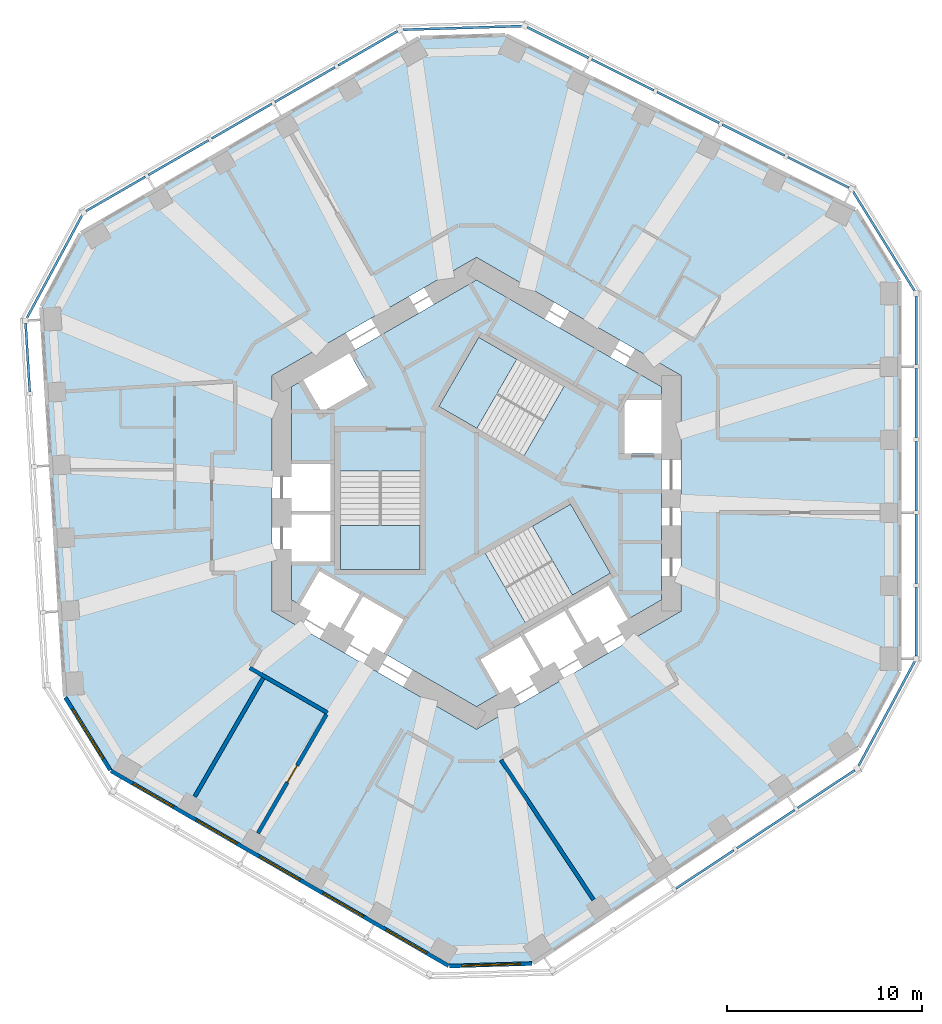
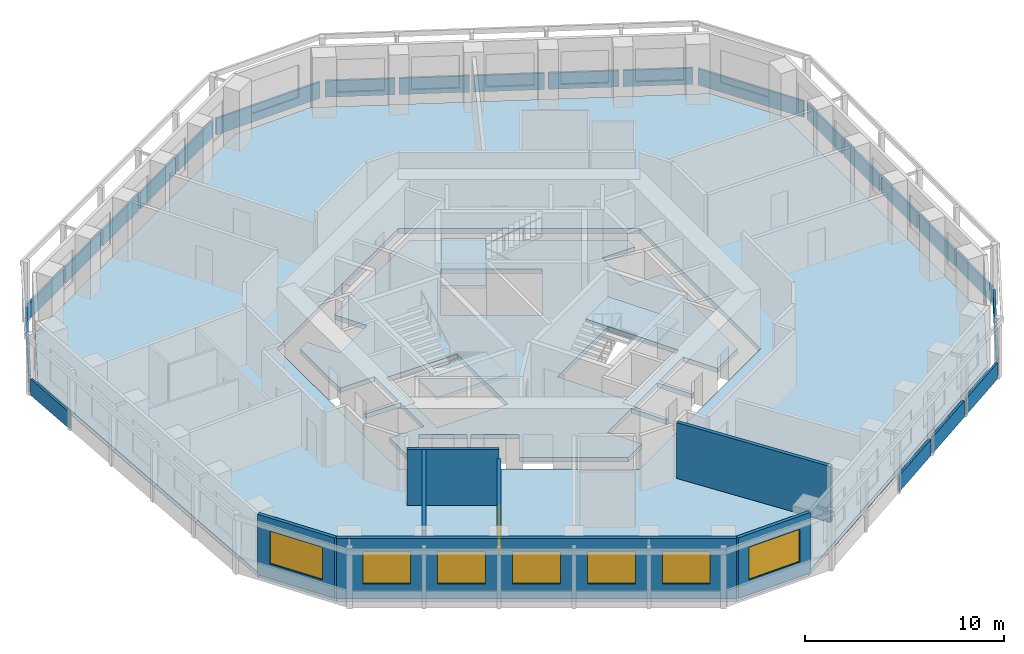
# One storey, part 3 of 10: 23 plates, 7 walls, 7 windows, 5 slabs, 1 door, 8 openings, 12 elements without a shape of their own.
"""IFC4 building model written with IfcOpenShell, lengths in metres."""

from ifc_helpers import new_model, si_unit, direction, frame, frame_2d, origin, origin_2d, place, context, subcontext, project, spatial, polyline, rectangle, outline, extrude, material, layer, layer_set, type_object, element, fill, aggregate, save


model = new_model("IFC4")

# Units and contexts
model_context = context("Model", 3, precision=1e-05, world=origin(), true_north=direction((0.0, 1.0)))
body_context = subcontext(model_context, "Body", "Model", "MODEL_VIEW")
ifc_project = project(units=[si_unit("LENGTHUNIT", "METRE"), si_unit("AREAUNIT", "SQUARE_METRE"), si_unit("VOLUMEUNIT", "CUBIC_METRE"), si_unit("PLANEANGLEUNIT", "RADIAN"), si_unit("MASSUNIT", "GRAM", prefix="KILO")], contexts=[model_context])

# Site, building, storey
site_placement = place(None, origin())
site = spatial("IfcSite", under=ifc_project, at=site_placement, CompositionType="ELEMENT")
building_placement = place(site_placement, origin())
building = spatial("IfcBuilding", under=site, at=building_placement, Name="Vanh Sen Convention Tower", CompositionType="ELEMENT")
storey_placement = place(building_placement, frame((0.0, 0.0, 165.10009765625)))
storey = spatial("IfcBuildingStorey", under=building, at=storey_placement, Name="L40", CompositionType="ELEMENT", Elevation=165.10009765625)

# Slabs
ifc_material_1 = material(Name="Concrete C40/50", Category="concrete")
ifc_layer_1 = layer(ifc_material_1, 0.280029296875)
ifc_layer_set_1 = layer_set([ifc_layer_1], Name="Concrete C40/50")
slab_type_1 = type_object("IfcSlabType", Name="Core slab 280", PredefinedType="FLOOR", material=ifc_layer_set_1)
slab_1_placement = place(storey_placement, frame((0.0, 0.0, -0.280029296875)))
element("IfcSlab", 1, at=slab_1_placement, inside=storey, type_object=slab_type_1, Name="Core slab L40", PredefinedType="FLOOR", context=body_context, shape_type="SweptSolid", body=[
    extrude(outline(polyline([(0.0, 10.9697265625), (9.5, 5.48486328125), (9.5, 4.800048828125), (7.60009765625, 4.800048828125), (7.60009765625, 2.050048828125), (9.5, 2.050048828125), (9.5, -5.48486328125), (7.781005859375, -6.477294921875), (6.781005859375, -4.7451171875), (4.70263671875, -5.9453125), (5.70263671875, -7.67724609375), (5.529296875, -7.777099609375), (4.529296875, -6.045166015625), (2.450927734375, -7.2451171875), (3.450927734375, -8.977294921875), (3.27783203125, -9.0771484375), (2.27783203125, -7.34521484375), (0.19921875, -8.545166015625), (1.19921875, -10.277099609375), (0.0, -10.9697265625), (-4.75, -8.227294921875), (-3.75, -6.4951171875), (-5.82861328125, -5.295166015625), (-6.82861328125, -7.027099609375), (-7.001708984375, -6.92724609375), (-6.001708984375, -5.1953125), (-8.080078125, -3.9951171875), (-9.080078125, -5.727294921875), (-9.5, -5.48486328125), (-9.5, -3.5), (-7.5, -3.5), (-7.5, -1.10009765625), (-9.5, -1.10009765625), (-9.5, -0.89990234375), (-7.5, -0.89990234375), (-7.5, 1.5), (-9.5, 1.5), (-9.5, 5.48486328125), (-8.906982421875, 5.8271484375), (-7.956787109375, 4.181884765625), (-5.575439453125, 5.556884765625), (-6.525390625, 7.2021484375), (0.0, 10.9697265625)]), holes=[polyline([(-7.0, 1.1494140625), (-7.0, -3.909912109375), (-2.89990234375, -3.909912109375), (-2.89990234375, 1.1494140625), (-7.0, 1.1494140625)]), polyline([(2.504638671875, -6.63671875), (6.88623046875, -4.107177734375), (4.836181640625, -0.556396484375), (0.45458984375, -3.086181640625), (2.504638671875, -6.63671875)]), polyline([(0.11376953125, 8.01708984375), (-1.936279296875, 4.466552734375), (2.4453125, 1.936767578125), (4.495361328125, 5.487548828125), (0.11376953125, 8.01708984375)])]), origin(), (0.0, 0.0, 1.0), 0.280029296875),
])
ifc_layer_2 = layer(ifc_material_1, 0.280029296875)
ifc_layer_set_2 = layer_set([ifc_layer_2], Name="Concrete C40/50")
slab_type_2 = type_object("IfcSlabType", Name="Floor slab 280 REI 120", PredefinedType="FLOOR", material=ifc_layer_set_2)
slab_2_placement = place(storey_placement, frame((0.0, 0.0, -0.280029296875)))
element("IfcSlab", 2, at=slab_2_placement, inside=storey, type_object=slab_type_2, Name="Floor slab L40 tower", PredefinedType="FLOOR", context=body_context, shape_type="SweptSolid", body=[
    extrude(outline(polyline([(21.699951171875, -9.15087890625), (21.699951171875, 10.91943359375), (19.454833984375, 14.5478515625), (1.492919921875, 23.503173828125), (-2.925048828125, 23.368408203125), (-20.306640625, 13.3330078125), (-22.326171875, 9.574462890625), (-21.100830078125, -10.458740234375), (-18.77490234375, -14.21728515625), (-1.393310546875, -24.25244140625), (2.871337890625, -24.122314453125), (19.60791015625, -13.04443359375), (21.699951171875, -9.15087890625)]), holes=[polyline([(0.0, 12.12451171875), (-10.5, 6.062255859375), (-10.5, -6.062255859375), (0.0, -12.12451171875), (10.5, -6.062255859375), (10.5, 6.062255859375), (0.0, 12.12451171875)])]), origin(), (0.0, 0.0, 1.0), 0.280029296875),
])

# Curtain wall, plates
ifc_material_2 = material(Name="Concrete C50/60", Category="concrete")
curtain_wall_type = type_object("IfcCurtainWallType", Name="Outer skin office zone", PredefinedType="NOTDEFINED", material=ifc_material_2)
curtain_wall_1_placement = place(storey_placement, origin())
curtain_wall_1 = element("IfcCurtainWall", 3, at=curtain_wall_1_placement, inside=storey, type_object=curtain_wall_type, Name="OUTER SKIN E L40", PredefinedType="NOTDEFINED")
ifc_layer_3 = layer(ifc_material_2, 0.1201171875)
ifc_layer_set_3 = layer_set([ifc_layer_3], Name="Concrete C50/60")
plate_type = type_object("IfcPlateType", Name="Outer skin precast screen panel 120", PredefinedType="CURTAIN_PANEL", material=ifc_layer_set_3)
plate_1_placement = place(storey_placement, frame((22.60009765625, -6.59912109375, 0.0), z_axis=(0.0, 0.0, 1.0), x_axis=(0.0, 1.0, 0.0)))
plate_1 = element("IfcPlate", 4, at=plate_1_placement, type_object=plate_type, Name="OUTER SKIN screen panel E-1", PredefinedType="CURTAIN_PANEL", context=body_context, shape_type="SweptSolid", body=[
    extrude(rectangle(XDim=3.504150390625, YDim=0.1201171875, at=origin_2d()), origin(), (0.0, 0.0, 1.0), 1.0),
])
plate_2_placement = place(storey_placement, frame((22.60009765625, -2.869873046875, 0.0), z_axis=(0.0, 0.0, 1.0), x_axis=(0.0, 1.0, 0.0)))
plate_2 = element("IfcPlate", 5, at=plate_2_placement, type_object=plate_type, Name="OUTER SKIN screen panel E-2", PredefinedType="CURTAIN_PANEL", context=body_context, shape_type="SweptSolid", body=[
    extrude(rectangle(XDim=3.55419921875, YDim=0.1201171875, at=origin_2d()), origin(), (0.0, 0.0, 1.0), 1.0),
])
plate_3_placement = place(storey_placement, frame((22.60009765625, 0.88427734375, 0.0), z_axis=(0.0, 0.0, 1.0), x_axis=(0.0, 1.0, 0.0)))
plate_3 = element("IfcPlate", 6, at=plate_3_placement, type_object=plate_type, Name="OUTER SKIN screen panel E-3", PredefinedType="CURTAIN_PANEL", context=body_context, shape_type="SweptSolid", body=[
    extrude(rectangle(XDim=3.55419921875, YDim=0.1201171875, at=origin_2d()), origin(), (0.0, 0.0, 1.0), 1.0),
])
plate_4_placement = place(storey_placement, frame((22.60009765625, 4.63818359375, 0.0), z_axis=(0.0, 0.0, 1.0), x_axis=(0.0, 1.0, 0.0)))
plate_4 = element("IfcPlate", 7, at=plate_4_placement, type_object=plate_type, Name="OUTER SKIN screen panel E-4", PredefinedType="CURTAIN_PANEL", context=body_context, shape_type="SweptSolid", body=[
    extrude(rectangle(XDim=3.55419921875, YDim=0.1201171875, at=origin_2d()), origin(), (0.0, 0.0, 1.0), 1.0),
])
plate_5_placement = place(storey_placement, frame((22.60009765625, 8.367431640625, 0.0), z_axis=(0.0, 0.0, 1.0), x_axis=(0.0, 1.0, 0.0)))
plate_5 = element("IfcPlate", 8, at=plate_5_placement, type_object=plate_type, Name="OUTER SKIN screen panel E-5", PredefinedType="CURTAIN_PANEL", context=body_context, shape_type="SweptSolid", body=[
    extrude(rectangle(XDim=3.504150390625, YDim=0.1201171875, at=origin_2d()), origin(), (0.0, 0.0, 1.0), 1.0),
])
aggregate(curtain_wall_1, [plate_1, plate_2, plate_3, plate_4, plate_5])

# Curtain wall, plate
curtain_wall_2_placement = place(storey_placement, origin())
curtain_wall_2 = element("IfcCurtainWall", 9, at=curtain_wall_2_placement, inside=storey, type_object=curtain_wall_type, Name="OUTER SKIN CH1 L40", PredefinedType="NOTDEFINED")
plate_6_placement = place(storey_placement, frame((20.937255859375, 12.956298828125, 0.0), z_axis=(0.0, 0.0, 1.0), x_axis=(-0.5262035346, 0.850358653848, 0.0)))
plate_6 = element("IfcPlate", 10, at=plate_6_placement, type_object=plate_type, Name="OUTER SKIN screen panel CH1-1", PredefinedType="CURTAIN_PANEL", context=body_context, shape_type="SweptSolid", body=[
    extrude(rectangle(XDim=6.01953125, YDim=0.1201171875, at=origin_2d()), origin(), (0.0, 0.0, 1.0), 1.0),
])
aggregate(curtain_wall_2, [plate_6])

# Curtain wall, plates
curtain_wall_3_placement = place(storey_placement, origin())
curtain_wall_3 = element("IfcCurtainWall", 11, at=curtain_wall_3_placement, inside=storey, type_object=curtain_wall_type, Name="OUTER SKIN NE L40", PredefinedType="NOTDEFINED")
plate_7_placement = place(storey_placement, frame((17.572509765625, 16.491943359375, 0.0), z_axis=(0.0, 0.0, 1.0), x_axis=(-0.894943706551, 0.446179069551, 0.0)))
plate_7 = element("IfcPlate", 12, at=plate_7_placement, type_object=plate_type, Name="OUTER SKIN screen panel NE-1", PredefinedType="CURTAIN_PANEL", context=body_context, shape_type="SweptSolid", body=[
    extrude(rectangle(XDim=3.504150390625, YDim=0.1201171875, at=origin_2d()), origin(), (0.0, 0.0, 1.0), 1.0),
])
plate_8_placement = place(storey_placement, frame((14.235107421875, 18.156005859375, 0.0), z_axis=(0.0, 0.0, 1.0), x_axis=(-0.894932804072, 0.446200937017, 0.0)))
plate_8 = element("IfcPlate", 13, at=plate_8_placement, type_object=plate_type, Name="OUTER SKIN screen panel NE-2", PredefinedType="CURTAIN_PANEL", context=body_context, shape_type="SweptSolid", body=[
    extrude(rectangle(XDim=3.55419921875, YDim=0.1201171875, at=origin_2d()), origin(), (0.0, 0.0, 1.0), 1.0),
])
plate_9_placement = place(storey_placement, frame((10.87548828125, 19.8310546875, 0.0), z_axis=(0.0, 0.0, 1.0), x_axis=(-0.894932804072, 0.446200937017, 0.0)))
plate_9 = element("IfcPlate", 14, at=plate_9_placement, type_object=plate_type, Name="OUTER SKIN screen panel NE-3", PredefinedType="CURTAIN_PANEL", context=body_context, shape_type="SweptSolid", body=[
    extrude(rectangle(XDim=3.55419921875, YDim=0.1201171875, at=origin_2d()), origin(), (0.0, 0.0, 1.0), 1.0),
])
plate_10_placement = place(storey_placement, frame((7.515625, 21.506103515625, 0.0), z_axis=(0.0, 0.0, 1.0), x_axis=(-0.894932804072, 0.446200937017, 0.0)))
plate_10 = element("IfcPlate", 15, at=plate_10_placement, type_object=plate_type, Name="OUTER SKIN screen panel NE-4", PredefinedType="CURTAIN_PANEL", context=body_context, shape_type="SweptSolid", body=[
    extrude(rectangle(XDim=3.55419921875, YDim=0.1201171875, at=origin_2d()), origin(), (0.0, 0.0, 1.0), 1.0),
])
plate_11_placement = place(storey_placement, frame((4.178466796875, 23.169921875, 0.0), z_axis=(0.0, 0.0, 1.0), x_axis=(-0.894943706551, 0.446179069551, 0.0)))
plate_11 = element("IfcPlate", 16, at=plate_11_placement, type_object=plate_type, Name="OUTER SKIN screen panel NE-5", PredefinedType="CURTAIN_PANEL", context=body_context, shape_type="SweptSolid", body=[
    extrude(rectangle(XDim=3.504150390625, YDim=0.1201171875, at=origin_2d()), origin(), (0.0, 0.0, 1.0), 1.0),
])
aggregate(curtain_wall_3, [plate_7, plate_8, plate_9, plate_10, plate_11])

# Curtain wall, plate
curtain_wall_4_placement = place(storey_placement, origin())
curtain_wall_4 = element("IfcCurtainWall", 17, at=curtain_wall_4_placement, inside=storey, type_object=curtain_wall_type, Name="OUTER SKIN CH2 L40", PredefinedType="NOTDEFINED")
plate_12_placement = place(storey_placement, frame((-0.73095703125, 23.920654296875, 0.0), z_axis=(0.0, 0.0, 1.0), x_axis=(-0.999533590837, -0.03053851321, 0.0)))
plate_12 = element("IfcPlate", 18, at=plate_12_placement, type_object=plate_type, Name="OUTER SKIN screen panel CH2-1", PredefinedType="CURTAIN_PANEL", context=body_context, shape_type="SweptSolid", body=[
    extrude(rectangle(XDim=6.1171875, YDim=0.1201171875, at=origin_2d()), origin(), (0.0, 0.0, 1.0), 1.0),
])
aggregate(curtain_wall_4, [plate_12])

# Curtain wall, plates
curtain_wall_5_placement = place(storey_placement, origin())
curtain_wall_5 = element("IfcCurtainWall", 19, at=curtain_wall_5_placement, inside=storey, type_object=curtain_wall_type, Name="OUTER SKIN NW L40", PredefinedType="NOTDEFINED")
plate_13_placement = place(storey_placement, frame((-5.585205078125, 22.87158203125, 0.0), z_axis=(0.0, 0.0, 1.0), x_axis=(-0.866035002936, -0.499983373414, 0.0)))
plate_13 = element("IfcPlate", 20, at=plate_13_placement, type_object=plate_type, Name="OUTER SKIN screen panel NW-1", PredefinedType="CURTAIN_PANEL", context=body_context, shape_type="SweptSolid", body=[
    extrude(rectangle(XDim=3.504150390625, YDim=0.1201171875, at=origin_2d()), origin(), (0.0, 0.0, 1.0), 1.0),
])
plate_14_placement = place(storey_placement, frame((-8.814697265625, 21.007080078125, 0.0), z_axis=(0.0, 0.0, 1.0), x_axis=(-0.866016677006, -0.500015114919, 0.0)))
plate_14 = element("IfcPlate", 21, at=plate_14_placement, type_object=plate_type, Name="OUTER SKIN screen panel NW-2", PredefinedType="CURTAIN_PANEL", context=body_context, shape_type="SweptSolid", body=[
    extrude(rectangle(XDim=3.55419921875, YDim=0.1201171875, at=origin_2d()), origin(), (0.0, 0.0, 1.0), 1.0),
])
plate_15_placement = place(storey_placement, frame((-12.06591796875, 19.1298828125, 0.0), z_axis=(0.0, 0.0, 1.0), x_axis=(-0.866035002936, -0.499983373414, 0.0)))
plate_15 = element("IfcPlate", 22, at=plate_15_placement, type_object=plate_type, Name="OUTER SKIN screen panel NW-3", PredefinedType="CURTAIN_PANEL", context=body_context, shape_type="SweptSolid", body=[
    extrude(rectangle(XDim=3.55419921875, YDim=0.1201171875, at=origin_2d()), origin(), (0.0, 0.0, 1.0), 1.0),
])
plate_16_placement = place(storey_placement, frame((-15.31689453125, 17.2529296875, 0.0), z_axis=(0.0, 0.0, 1.0), x_axis=(-0.866016677006, -0.500015114919, 0.0)))
plate_16 = element("IfcPlate", 23, at=plate_16_placement, type_object=plate_type, Name="OUTER SKIN screen panel NW-4", PredefinedType="CURTAIN_PANEL", context=body_context, shape_type="SweptSolid", body=[
    extrude(rectangle(XDim=3.55419921875, YDim=0.1201171875, at=origin_2d()), origin(), (0.0, 0.0, 1.0), 1.0),
])
plate_17_placement = place(storey_placement, frame((-18.54638671875, 15.388427734375, 0.0), z_axis=(0.0, 0.0, 1.0), x_axis=(-0.866035002936, -0.499983373414, 0.0)))
plate_17 = element("IfcPlate", 24, at=plate_17_placement, type_object=plate_type, Name="OUTER SKIN screen panel NW-5", PredefinedType="CURTAIN_PANEL", context=body_context, shape_type="SweptSolid", body=[
    extrude(rectangle(XDim=3.504150390625, YDim=0.1201171875, at=origin_2d()), origin(), (0.0, 0.0, 1.0), 1.0),
])
aggregate(curtain_wall_5, [plate_13, plate_14, plate_15, plate_16, plate_17])

# Curtain wall, plate
curtain_wall_6_placement = place(storey_placement, origin())
curtain_wall_6 = element("IfcCurtainWall", 25, at=curtain_wall_6_placement, inside=storey, type_object=curtain_wall_type, Name="OUTER SKIN CH3 L40", PredefinedType="NOTDEFINED")
plate_18_placement = place(storey_placement, frame((-21.689208984375, 11.654052734375, 0.0), z_axis=(0.0, 0.0, 1.0), x_axis=(-0.47331812974, -0.880891564303, 0.0)))
plate_18 = element("IfcPlate", 26, at=plate_18_placement, type_object=plate_type, Name="OUTER SKIN screen panel CH3-1", PredefinedType="CURTAIN_PANEL", context=body_context, shape_type="SweptSolid", body=[
    extrude(rectangle(XDim=6.019287109375, YDim=0.1201171875, at=origin_2d()), origin(), (0.0, 0.0, 1.0), 1.0),
])
aggregate(curtain_wall_6, [plate_18])

curtain_wall_7_placement = place(storey_placement, origin())
curtain_wall_7 = element("IfcCurtainWall", 27, at=curtain_wall_7_placement, inside=storey, type_object=curtain_wall_type, Name="OUTER SKIN W L40", PredefinedType="NOTDEFINED")
plate_19_placement = place(storey_placement, frame((-23.068603515625, 6.97216796875, 0.0), z_axis=(0.0, 0.0, 1.0), x_axis=(0.061053765756, -0.998134478759, 0.0)))
plate_19 = element("IfcPlate", 28, at=plate_19_placement, type_object=plate_type, Name="OUTER SKIN screen panel W-1", PredefinedType="CURTAIN_PANEL", context=body_context, shape_type="SweptSolid", body=[
    extrude(rectangle(XDim=3.504150390625, YDim=0.1201171875, at=origin_2d()), origin(), (0.0, 0.0, 1.0), 1.0),
])
aggregate(curtain_wall_7, [plate_19])

# Curtain wall, plates
curtain_wall_8_placement = place(storey_placement, origin())
curtain_wall_8 = element("IfcCurtainWall", 29, at=curtain_wall_8_placement, inside=storey, type_object=curtain_wall_type, Name="OUTER SKIN SE L40", PredefinedType="NOTDEFINED")
plate_20_placement = place(storey_placement, frame((11.736328125, -19.333984375, 0.0), z_axis=(0.0, 0.0, 1.0), x_axis=(0.833877152158, 0.551950083892, 0.0)))
plate_20 = element("IfcPlate", 30, at=plate_20_placement, type_object=plate_type, Name="OUTER SKIN screen panel SE-3", PredefinedType="CURTAIN_PANEL", context=body_context, shape_type="SweptSolid", body=[
    extrude(rectangle(XDim=3.55419921875, YDim=0.1201171875, at=origin_2d()), origin(), (0.0, 0.0, 1.0), 1.0),
])
plate_21_placement = place(storey_placement, frame((14.866943359375, -17.26171875, 0.0), z_axis=(0.0, 0.0, 1.0), x_axis=(0.833889675294, 0.551931163677, 0.0)))
plate_21 = element("IfcPlate", 31, at=plate_21_placement, type_object=plate_type, Name="OUTER SKIN screen panel SE-4", PredefinedType="CURTAIN_PANEL", context=body_context, shape_type="SweptSolid", body=[
    extrude(rectangle(XDim=3.55419921875, YDim=0.1201171875, at=origin_2d()), origin(), (0.0, 0.0, 1.0), 1.0),
])
plate_22_placement = place(storey_placement, frame((17.9765625, -15.20361328125, 0.0), z_axis=(0.0, 0.0, 1.0), x_axis=(0.833889675294, 0.551931163677, 0.0)))
plate_22 = element("IfcPlate", 32, at=plate_22_placement, type_object=plate_type, Name="OUTER SKIN screen panel SE-5", PredefinedType="CURTAIN_PANEL", context=body_context, shape_type="SweptSolid", body=[
    extrude(rectangle(XDim=3.504150390625, YDim=0.1201171875, at=origin_2d()), origin(), (0.0, 0.0, 1.0), 1.0),
])
aggregate(curtain_wall_8, [plate_20, plate_21, plate_22])

# Curtain wall, plate
curtain_wall_9_placement = place(storey_placement, origin())
curtain_wall_9 = element("IfcCurtainWall", 33, at=curtain_wall_9_placement, inside=storey, type_object=curtain_wall_type, Name="OUTER SKIN CH6 L40", PredefinedType="NOTDEFINED")
plate_23_placement = place(storey_placement, frame((21.081298828125, -11.327392578125, 0.0), z_axis=(0.0, 0.0, 1.0), x_axis=(0.473321204628, 0.880889912105, 0.0)))
plate_23 = element("IfcPlate", 34, at=plate_23_placement, type_object=plate_type, Name="OUTER SKIN screen panel CH6-1", PredefinedType="CURTAIN_PANEL", context=body_context, shape_type="SweptSolid", body=[
    extrude(rectangle(XDim=6.1171875, YDim=0.1201171875, at=origin_2d()), origin(), (0.0, 0.0, 1.0), 1.0),
])
aggregate(curtain_wall_9, [plate_23])

# Stair, slab
ifc_material_3 = material(Name="Concrete C50/60", Category="concrete")
stair_type_1 = type_object("IfcStairType", Name="Exit stair ST1 22 risers at 168.2", PredefinedType="HALF_TURN_STAIR", material=ifc_material_3)
stair_1_placement = place(storey_placement, origin())
stair_1 = element("IfcStair", 35, at=stair_1_placement, inside=storey, type_object=stair_type_1, Name="Exit stair ST1 L40", PredefinedType="HALF_TURN_STAIR")
ifc_layer_4 = layer(ifc_material_1, 0.199951171875)
ifc_layer_set_4 = layer_set([ifc_layer_4], Name="Concrete C40/50")
slab_type_3 = type_object("IfcSlabType", Name="Stair landing 200", PredefinedType="LANDING", material=ifc_layer_set_4)
slab_3_placement = place(storey_placement, frame((0.0, 0.0, 1.64990234375)))
slab_3 = element("IfcSlab", 36, at=slab_3_placement, type_object=slab_type_3, Name="ST1 landing 1", PredefinedType="LANDING", context=body_context, shape_type="SweptSolid", body=[
    extrude(outline(polyline([(2.07177734375, 6.88671875), (0.11376953125, 8.01708984375), (-1.936279296875, 4.466552734375), (0.021728515625, 3.336181640625), (2.07177734375, 6.88671875)])), origin(), (0.0, 0.0, 1.0), 0.199951171875),
])
aggregate(stair_1, [slab_3])

stair_type_2 = type_object("IfcStairType", Name="Exit stair ST2 22 risers at 168.2", PredefinedType="HALF_TURN_STAIR", material=ifc_material_3)
stair_2_placement = place(storey_placement, origin())
stair_2 = element("IfcStair", 37, at=stair_2_placement, inside=storey, type_object=stair_type_2, Name="Exit stair ST2 L40", PredefinedType="HALF_TURN_STAIR")
slab_4_placement = place(storey_placement, frame((0.0, 0.0, 1.64990234375)))
slab_4 = element("IfcSlab", 38, at=slab_4_placement, type_object=slab_type_3, Name="ST2 landing 1", PredefinedType="LANDING", context=body_context, shape_type="SweptSolid", body=[
    extrude(outline(polyline([(-7.0, -1.6494140625), (-7.0, -3.909912109375), (-2.89990234375, -3.909912109375), (-2.89990234375, -1.6494140625), (-7.0, -1.6494140625)])), origin(), (0.0, 0.0, 1.0), 0.199951171875),
])
aggregate(stair_2, [slab_4])

stair_type_3 = type_object("IfcStairType", Name="Exit stair ST3 22 risers at 168.2", PredefinedType="HALF_TURN_STAIR", material=ifc_material_3)
stair_3_placement = place(storey_placement, origin())
stair_3 = element("IfcStair", 39, at=stair_3_placement, inside=storey, type_object=stair_type_3, Name="Exit stair ST3 L40", PredefinedType="HALF_TURN_STAIR")
slab_5_placement = place(storey_placement, frame((0.0, 0.0, 1.64990234375)))
slab_5 = element("IfcSlab", 40, at=slab_5_placement, type_object=slab_type_3, Name="ST3 landing 1", PredefinedType="LANDING", context=body_context, shape_type="SweptSolid", body=[
    extrude(outline(polyline([(4.92822265625, -5.237548828125), (6.88623046875, -4.107177734375), (4.836181640625, -0.556396484375), (2.87841796875, -1.686767578125), (4.92822265625, -5.237548828125)])), origin(), (0.0, 0.0, 1.0), 0.199951171875),
])
aggregate(stair_3, [slab_5])

# Wall
ifc_material_4 = material(Name="Gypsum board on steel studs with mineral wool", Category="steel")
ifc_layer_5 = layer(ifc_material_4, 0.199951171875)
ifc_layer_set_5 = layer_set([ifc_layer_5], Name="Gypsum board on steel studs with mineral wool")
wall_type_1 = type_object("IfcWallType", Name="Corridor partition wall 200", PredefinedType="PARTITIONING", material=ifc_layer_set_5)
wall_1_placement = place(storey_placement, frame((-11.651123046875, -8.978271484375, 0.0), z_axis=(0.0, 0.0, 1.0), x_axis=(0.866010893236, -0.500025132165, 0.0)))
element("IfcWall", 41, at=wall_1_placement, inside=storey, type_object=wall_type_1, Name="Corridor partition wall 200", PredefinedType="PARTITIONING", context=body_context, shape_type="SweptSolid", body=[
    extrude(rectangle(XDim=4.608154296875, YDim=0.199951171875, at=frame_2d((2.30419921875, 0.0))), origin(), (0.0, 0.0, 1.0), 3.419921875),
])

# Wall, opening, door
wall_2_placement = place(storey_placement, frame((-11.23486328125, -17.4736328125, 0.0), z_axis=(0.0, 0.0, 1.0), x_axis=(0.500009260695, 0.866020057054, 0.0)))
wall_2 = element("IfcWall", 42, at=wall_2_placement, inside=storey, type_object=wall_type_1, Name="Corridor partition wall 200", PredefinedType="PARTITIONING", context=body_context, shape_type="SweptSolid", body=[
    extrude(rectangle(XDim=7.049072265625, YDim=0.199951171875, at=frame_2d((3.5244140625, 0.0))), origin(), (0.0, 0.0, 1.0), 2.869873046875),
])
opening_1_placement = place(wall_2_placement, frame((3.0244140625, 0.0, 0.0)))
opening_1 = element("IfcOpeningElement", 43, at=opening_1_placement, cuts=wall_2, Name="Opening D38112", PredefinedType="OPENING", context=body_context, shape_type="SweptSolid", body=[
    extrude(rectangle(XDim=1.0, YDim=2.10009765625, at=frame_2d((0.5, 1.050048828125))), frame((0.0, 0.10986328125, 0.0), z_axis=(0.0, -1.0, 0.0), x_axis=(1.0, 0.0, 0.0)), (0.0, 0.0, 1.0), 0.219970703125),
])
ifc_material_5 = material(Name="Glazed fire door in steel frame", Category="steel")
door_type = type_object("IfcDoorType", Name="Tenant entrance door 1000", OperationType="SINGLE_SWING_LEFT", PredefinedType="DOOR", material=ifc_material_5)
door_placement = place(opening_1_placement, origin())
door = element("IfcDoor", 44, at=door_placement, inside=storey, type_object=door_type, Name="Tenant suite entrance door D38112", OperationType="SINGLE_SWING_LEFT", OverallHeight=2.10009765625, OverallWidth=1.0, PredefinedType="DOOR", context=body_context, shape_type="SweptSolid", body=[
    extrude(rectangle(XDim=1.0, YDim=2.10009765625, at=frame_2d((0.5, 1.050048828125))), frame((0.0, 0.02490234375, 0.0), z_axis=(0.0, -1.0, 0.0), x_axis=(1.0, 0.0, 0.0)), (0.0, 0.0, 1.0), 0.050048828125),
])
fill(opening_1, door)

# Wall, opening, window
ifc_material_6 = material(Name="Insulated lightweight infill wall")
ifc_layer_6 = layer(ifc_material_6, 0.199951171875)
ifc_layer_set_6 = layer_set([ifc_layer_6], Name="Insulated lightweight infill wall")
wall_type_2 = type_object("IfcWallType", Name="External wall 200", PredefinedType="STANDARD", material=ifc_layer_set_6)
wall_3_placement = place(storey_placement, frame((-21.13671875, -10.49560546875, 0.0), z_axis=(0.0, 0.0, 1.0), x_axis=(0.526178661629, -0.850374044786, 0.0)))
wall_3 = element("IfcWall", 45, at=wall_3_placement, inside=storey, type_object=wall_type_2, Name="External wall CH4 L40", PredefinedType="STANDARD", context=body_context, shape_type="SweptSolid", body=[
    extrude(rectangle(XDim=4.394775390625, YDim=0.199951171875, at=frame_2d((2.197265625, 0.0))), origin(), (0.0, 0.0, 1.0), 3.699951171875),
])
opening_2_placement = place(wall_3_placement, frame((0.697509765625, 0.0, 0.89990234375)))
opening_2 = element("IfcOpeningElement", 46, at=opening_2_placement, cuts=wall_3, Name="Opening WO2-CH41", PredefinedType="OPENING", context=body_context, shape_type="SweptSolid", body=[
    extrude(rectangle(XDim=3.0, YDim=2.0, at=frame_2d((1.5, 1.0))), frame((0.0, 0.10986328125, 0.0), z_axis=(0.0, -1.0, 0.0), x_axis=(1.0, 0.0, 0.0)), (0.0, 0.0, 1.0), 0.219970703125),
])
ifc_material_7 = material(Name="Aluminium frame with clear low-emissivity glass", Category="aluminium")
window_type_1 = type_object("IfcWindowType", Name="Office window 3000 x 2000", PartitioningType="SINGLE_PANEL", PredefinedType="WINDOW", material=ifc_material_7)
window_1_placement = place(opening_2_placement, origin())
window_1 = element("IfcWindow", 47, at=window_1_placement, inside=storey, type_object=window_type_1, Name="Window WO2-CH41", OverallHeight=2.0, OverallWidth=3.0, PartitioningType="SINGLE_PANEL", PredefinedType="WINDOW", context=body_context, shape_type="SweptSolid", body=[
    extrude(rectangle(XDim=3.0, YDim=2.0, at=frame_2d((1.5, 1.0))), frame((0.0, 0.030029296875, 0.0), z_axis=(0.0, -1.0, 0.0), x_axis=(1.0, 0.0, 0.0)), (0.0, 0.0, 1.0), 0.06005859375),
])
fill(opening_2, window_1)

# Wall, openings, windows
wall_4_placement = place(storey_placement, frame((-18.7890625, -14.266845703125, 0.0), z_axis=(0.0, 0.0, 1.0), x_axis=(0.866023315909, -0.500003616288, 0.0)))
wall_4 = element("IfcWall", 48, at=wall_4_placement, inside=storey, type_object=wall_type_2, Name="External wall SW L40", PredefinedType="STANDARD", context=body_context, shape_type="SweptSolid", body=[
    extrude(rectangle(XDim=20.043701171875, YDim=0.199951171875, at=frame_2d((10.02197265625, 0.0))), origin(), (0.0, 0.0, 1.0), 3.699951171875),
])
opening_3_placement = place(wall_4_placement, frame((1.314453125, 0.0, 0.89990234375)))
opening_3 = element("IfcOpeningElement", 49, at=opening_3_placement, cuts=wall_4, Name="Opening WO1-SW1", PredefinedType="OPENING", context=body_context, shape_type="SweptSolid", body=[
    extrude(rectangle(XDim=2.39990234375, YDim=2.0, at=frame_2d((1.199951171875, 1.0))), frame((0.0, 0.10986328125, 0.0), z_axis=(0.0, -1.0, 0.0), x_axis=(1.0, 0.0, 0.0)), (0.0, 0.0, 1.0), 0.219970703125),
])
opening_4_placement = place(wall_4_placement, frame((5.068603515625, 0.0, 0.89990234375)))
opening_4 = element("IfcOpeningElement", 50, at=opening_4_placement, cuts=wall_4, Name="Opening WO1-SW2", PredefinedType="OPENING", context=body_context, shape_type="SweptSolid", body=[
    extrude(rectangle(XDim=2.39990234375, YDim=2.0, at=frame_2d((1.199951171875, 1.0))), frame((0.0, 0.10986328125, 0.0), z_axis=(0.0, -1.0, 0.0), x_axis=(1.0, 0.0, 0.0)), (0.0, 0.0, 1.0), 0.219970703125),
])
opening_5_placement = place(wall_4_placement, frame((8.82275390625, 0.0, 0.89990234375)))
opening_5 = element("IfcOpeningElement", 51, at=opening_5_placement, cuts=wall_4, Name="Opening WO1-SW3", PredefinedType="OPENING", context=body_context, shape_type="SweptSolid", body=[
    extrude(rectangle(XDim=2.39990234375, YDim=2.0, at=frame_2d((1.199951171875, 1.0))), frame((0.0, 0.10986328125, 0.0), z_axis=(0.0, -1.0, 0.0), x_axis=(1.0, 0.0, 0.0)), (0.0, 0.0, 1.0), 0.219970703125),
])
opening_6_placement = place(wall_4_placement, frame((12.576904296875, 0.0, 0.89990234375)))
opening_6 = element("IfcOpeningElement", 52, at=opening_6_placement, cuts=wall_4, Name="Opening WO1-SW4", PredefinedType="OPENING", context=body_context, shape_type="SweptSolid", body=[
    extrude(rectangle(XDim=2.39990234375, YDim=2.0, at=frame_2d((1.199951171875, 1.0))), frame((0.0, 0.10986328125, 0.0), z_axis=(0.0, -1.0, 0.0), x_axis=(1.0, 0.0, 0.0)), (0.0, 0.0, 1.0), 0.219970703125),
])
opening_7_placement = place(wall_4_placement, frame((16.330810546875, 0.0, 0.89990234375)))
opening_7 = element("IfcOpeningElement", 53, at=opening_7_placement, cuts=wall_4, Name="Opening WO1-SW5", PredefinedType="OPENING", context=body_context, shape_type="SweptSolid", body=[
    extrude(rectangle(XDim=2.39990234375, YDim=2.0, at=frame_2d((1.199951171875, 1.0))), frame((0.0, 0.10986328125, 0.0), z_axis=(0.0, -1.0, 0.0), x_axis=(1.0, 0.0, 0.0)), (0.0, 0.0, 1.0), 0.219970703125),
])
window_type_2 = type_object("IfcWindowType", Name="Office window 2400 x 2000", PartitioningType="SINGLE_PANEL", PredefinedType="WINDOW", material=ifc_material_7)
window_2_placement = place(opening_3_placement, origin())
window_2 = element("IfcWindow", 54, at=window_2_placement, inside=storey, type_object=window_type_2, Name="Window WO1-SW1", OverallHeight=2.0, OverallWidth=2.39990234375, PartitioningType="SINGLE_PANEL", PredefinedType="WINDOW", context=body_context, shape_type="SweptSolid", body=[
    extrude(rectangle(XDim=2.39990234375, YDim=2.0, at=frame_2d((1.199951171875, 1.0))), frame((0.0, 0.030029296875, 0.0), z_axis=(0.0, -1.0, 0.0), x_axis=(1.0, 0.0, 0.0)), (0.0, 0.0, 1.0), 0.06005859375),
])
fill(opening_3, window_2)
window_3_placement = place(opening_4_placement, origin())
window_3 = element("IfcWindow", 55, at=window_3_placement, inside=storey, type_object=window_type_2, Name="Window WO1-SW2", OverallHeight=2.0, OverallWidth=2.39990234375, PartitioningType="SINGLE_PANEL", PredefinedType="WINDOW", context=body_context, shape_type="SweptSolid", body=[
    extrude(rectangle(XDim=2.39990234375, YDim=2.0, at=frame_2d((1.199951171875, 1.0))), frame((0.0, 0.030029296875, 0.0), z_axis=(0.0, -1.0, 0.0), x_axis=(1.0, 0.0, 0.0)), (0.0, 0.0, 1.0), 0.06005859375),
])
fill(opening_4, window_3)
window_4_placement = place(opening_5_placement, origin())
window_4 = element("IfcWindow", 56, at=window_4_placement, inside=storey, type_object=window_type_2, Name="Window WO1-SW3", OverallHeight=2.0, OverallWidth=2.39990234375, PartitioningType="SINGLE_PANEL", PredefinedType="WINDOW", context=body_context, shape_type="SweptSolid", body=[
    extrude(rectangle(XDim=2.39990234375, YDim=2.0, at=frame_2d((1.199951171875, 1.0))), frame((0.0, 0.030029296875, 0.0), z_axis=(0.0, -1.0, 0.0), x_axis=(1.0, 0.0, 0.0)), (0.0, 0.0, 1.0), 0.06005859375),
])
fill(opening_5, window_4)
window_5_placement = place(opening_6_placement, origin())
window_5 = element("IfcWindow", 57, at=window_5_placement, inside=storey, type_object=window_type_2, Name="Window WO1-SW4", OverallHeight=2.0, OverallWidth=2.39990234375, PartitioningType="SINGLE_PANEL", PredefinedType="WINDOW", context=body_context, shape_type="SweptSolid", body=[
    extrude(rectangle(XDim=2.39990234375, YDim=2.0, at=frame_2d((1.199951171875, 1.0))), frame((0.0, 0.030029296875, 0.0), z_axis=(0.0, -1.0, 0.0), x_axis=(1.0, 0.0, 0.0)), (0.0, 0.0, 1.0), 0.06005859375),
])
fill(opening_6, window_5)
window_6_placement = place(opening_7_placement, origin())
window_6 = element("IfcWindow", 58, at=window_6_placement, inside=storey, type_object=window_type_2, Name="Window WO1-SW5", OverallHeight=2.0, OverallWidth=2.39990234375, PartitioningType="SINGLE_PANEL", PredefinedType="WINDOW", context=body_context, shape_type="SweptSolid", body=[
    extrude(rectangle(XDim=2.39990234375, YDim=2.0, at=frame_2d((1.199951171875, 1.0))), frame((0.0, 0.030029296875, 0.0), z_axis=(0.0, -1.0, 0.0), x_axis=(1.0, 0.0, 0.0)), (0.0, 0.0, 1.0), 0.06005859375),
])
fill(opening_7, window_6)

# Wall, opening, window
wall_5_placement = place(storey_placement, frame((-1.377685546875, -24.302001953125, 0.0), z_axis=(0.0, 0.0, 1.0), x_axis=(0.999533857267, 0.030529791629, 0.0)))
wall_5 = element("IfcWall", 59, at=wall_5_placement, inside=storey, type_object=wall_type_2, Name="External wall CH5 L40", PredefinedType="STANDARD", context=body_context, shape_type="SweptSolid", body=[
    extrude(rectangle(XDim=4.23828125, YDim=0.199951171875, at=frame_2d((2.119140625, 0.0))), origin(), (0.0, 0.0, 1.0), 3.699951171875),
])
opening_8_placement = place(wall_5_placement, frame((0.619140625, 0.0, 0.89990234375)))
opening_8 = element("IfcOpeningElement", 60, at=opening_8_placement, cuts=wall_5, Name="Opening WO2-CH51", PredefinedType="OPENING", context=body_context, shape_type="SweptSolid", body=[
    extrude(rectangle(XDim=3.0, YDim=2.0, at=frame_2d((1.5, 1.0))), frame((0.0, 0.10986328125, 0.0), z_axis=(0.0, -1.0, 0.0), x_axis=(1.0, 0.0, 0.0)), (0.0, 0.0, 1.0), 0.219970703125),
])
window_7_placement = place(opening_8_placement, origin())
window_7 = element("IfcWindow", 61, at=window_7_placement, inside=storey, type_object=window_type_1, Name="Window WO2-CH51", OverallHeight=2.0, OverallWidth=3.0, PartitioningType="SINGLE_PANEL", PredefinedType="WINDOW", context=body_context, shape_type="SweptSolid", body=[
    extrude(rectangle(XDim=3.0, YDim=2.0, at=frame_2d((1.5, 1.0))), frame((0.0, 0.030029296875, 0.0), z_axis=(0.0, -1.0, 0.0), x_axis=(1.0, 0.0, 0.0)), (0.0, 0.0, 1.0), 0.06005859375),
])
fill(opening_8, window_7)

# Walls
ifc_layer_7 = layer(ifc_material_4, 0.199951171875)
ifc_layer_set_7 = layer_set([ifc_layer_7], Name="Gypsum board on steel studs with mineral wool")
wall_type_3 = type_object("IfcWallType", Name="Tenant suite wall 200", PredefinedType="PARTITIONING", material=ifc_layer_set_7)
wall_6_placement = place(storey_placement, frame((-14.48583984375, -15.5966796875, 0.0), z_axis=(0.0, 0.0, 1.0), x_axis=(0.499983284935, 0.866035054017, 0.0)))
element("IfcWall", 62, at=wall_6_placement, inside=storey, type_object=wall_type_3, Name="Tenant suite wall 200", PredefinedType="PARTITIONING", context=body_context, shape_type="SweptSolid", body=[
    extrude(rectangle(XDim=7.049072265625, YDim=0.199951171875, at=frame_2d((3.5244140625, 0.0))), origin(), (0.0, 0.0, 1.0), 3.419921875),
])
wall_7_placement = place(storey_placement, frame((6.01953125, -20.899169921875, 0.0), z_axis=(0.0, 0.0, 1.0), x_axis=(-0.551943990108, 0.833881185651, 0.0)))
element("IfcWall", 63, at=wall_7_placement, inside=storey, type_object=wall_type_3, Name="Tenant suite wall 200", PredefinedType="PARTITIONING", context=body_context, shape_type="SweptSolid", body=[
    extrude(rectangle(XDim=8.615234375, YDim=0.199951171875, at=frame_2d((4.3076171875, 0.0))), origin(), (0.0, 0.0, 1.0), 3.419921875),
])

save(model, "model.ifc")
